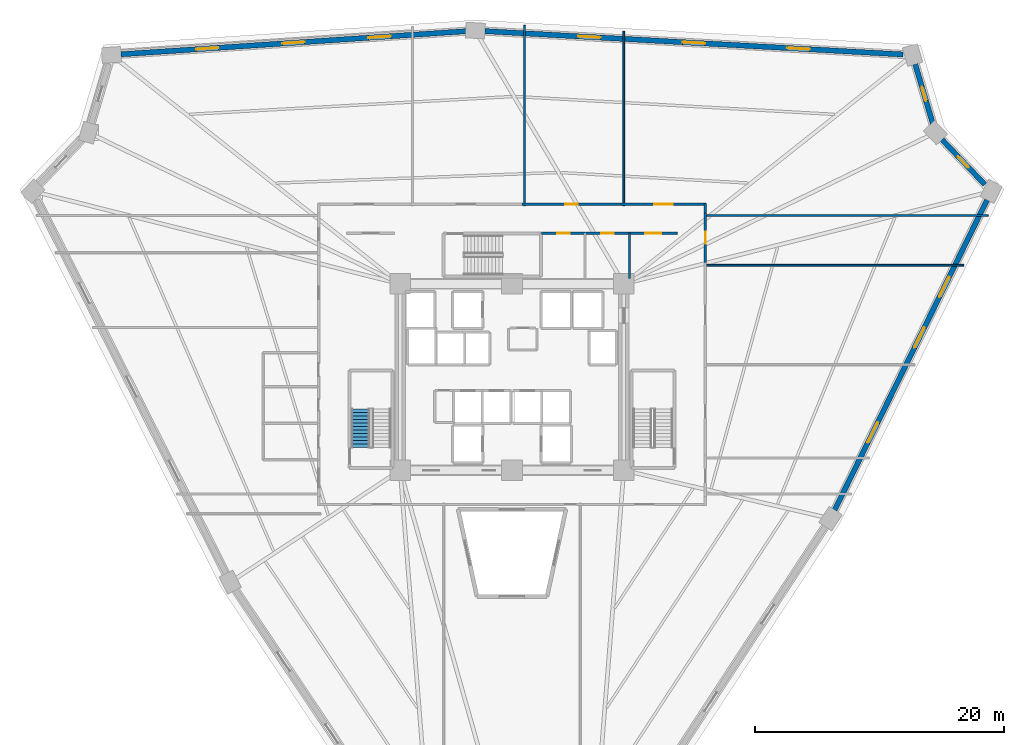
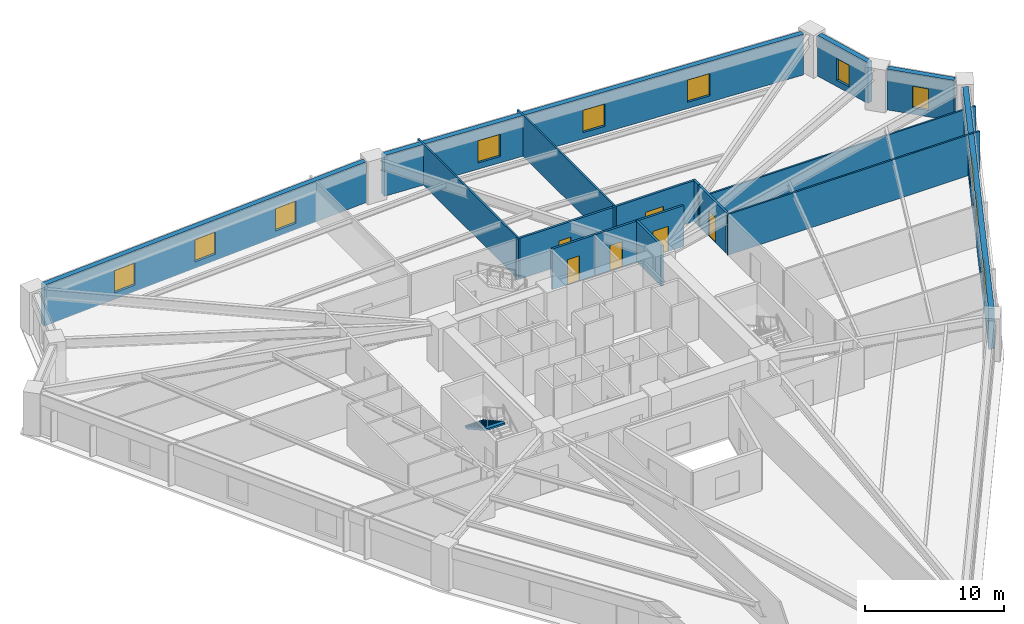
# One storey, part 7 of 11: 17 walls, 11 windows, 6 doors, 1 stair flight, 17 openings, 1 element without a shape of its own.
"""IFC4 building model written with IfcOpenShell, lengths in metres."""

from ifc_helpers import new_model, si_unit, direction, frame, frame_2d, origin, place, context, subcontext, project, spatial, polyline, rectangle, outline, extrude, source, transform, mapped, material, layer, layer_set, type_object, element, fill, aggregate, save


model = new_model("IFC4")

# Units and contexts
model_context = context("Model", 3, precision=1e-05, world=origin(), true_north=direction((0.0, 1.0)))
body_context = subcontext(model_context, "Body", "Model", "MODEL_VIEW")
ifc_project = project(units=[si_unit("LENGTHUNIT", "METRE"), si_unit("AREAUNIT", "SQUARE_METRE"), si_unit("VOLUMEUNIT", "CUBIC_METRE"), si_unit("PLANEANGLEUNIT", "RADIAN"), si_unit("MASSUNIT", "GRAM", prefix="KILO")], contexts=[model_context])

# Site, building, storey
site_placement = place(None, origin())
site = spatial("IfcSite", under=ifc_project, at=site_placement, CompositionType="ELEMENT")
building_placement = place(site_placement, origin())
building = spatial("IfcBuilding", under=site, at=building_placement, Name="Liaohun Quay Tower", CompositionType="ELEMENT")
storey_placement = place(building_placement, frame((0.0, 0.0, 51.75)))
storey = spatial("IfcBuildingStorey", under=building, at=storey_placement, Name="L13", CompositionType="ELEMENT", Elevation=51.75)

# Wall, openings, windows
ifc_material_1 = material(Name="Precast concrete C50 insulated sandwich", Category="concrete")
ifc_layer_1 = layer(ifc_material_1, 0.419921875, Name="Precast concrete C50 insulated sandwich", Category="concrete")
ifc_layer_set_1 = layer_set([ifc_layer_1], Name="Precast concrete C50 insulated sandwich")
wall_type_1 = type_object("IfcWallType", Name="WAL-EXT-Z12", PredefinedType="SOLIDWALL", material=ifc_layer_set_1)
wall_1_placement = place(storey_placement, frame((85.967041015625, 43.301025390625, 0.0), z_axis=(0.0, 0.0, 1.0), x_axis=(0.441079786623, 0.897467894597, 0.0)))
wall_1 = element("IfcWall", 1, at=wall_1_placement, inside=storey, type_object=wall_type_1, Name="L13 Brutalist Precast Pier Wall 03", PredefinedType="SOLIDWALL", context=body_context, shape_type="SweptSolid", body=[
    extrude(rectangle(XDim=27.813720703125, YDim=0.419921875, at=frame_2d((13.90673828125, 0.0))), origin(), (0.0, 0.0, 1.0), 3.570068359375),
])
shared_shape_1 = source(origin(), body_context, "Body", "SweptSolid", [
    extrude(rectangle(XDim=1.800048828125, YDim=1.949951171875, at=frame_2d((0.89990234375, 0.97509765625))), frame((0.0, 0.219970703125, 0.0), z_axis=(0.0, -1.0, 0.0), x_axis=(1.0, 0.0, 0.0)), (0.0, 0.0, 1.0), 0.43994140625),
])
opening_1_placement = place(wall_1_placement, frame((6.052978515625, 0.0, 0.550048828125)))
opening_1 = element("IfcOpeningElement", 2, at=opening_1_placement, cuts=wall_1, Name="Opening W01", PredefinedType="OPENING", context=body_context, shape_type="MappedRepresentation", body=[
    mapped(shared_shape_1, transform((0.0, 0.0, 0.0), x_axis=(1.0, 0.0, 0.0), y_axis=(0.0, 1.0, 0.0), z_axis=(0.0, 0.0, 1.0), scale=1.0)),
])
opening_2_placement = place(wall_1_placement, frame((14.556884765625, 0.0, 0.550048828125)))
opening_2 = element("IfcOpeningElement", 3, at=opening_2_placement, cuts=wall_1, Name="Opening W01", PredefinedType="OPENING", context=body_context, shape_type="MappedRepresentation", body=[
    mapped(shared_shape_1, transform((0.0, 0.0, 0.0), x_axis=(1.0, 0.0, 0.0), y_axis=(0.0, 1.0, 0.0), z_axis=(0.0, 0.0, 1.0), scale=1.0)),
])
opening_3_placement = place(wall_1_placement, frame((19.110107421875, 0.0, 0.550048828125)))
opening_3 = element("IfcOpeningElement", 4, at=opening_3_placement, cuts=wall_1, Name="Opening W01", PredefinedType="OPENING", context=body_context, shape_type="MappedRepresentation", body=[
    mapped(shared_shape_1, transform((0.0, 0.0, 0.0), x_axis=(1.0, 0.0, 0.0), y_axis=(0.0, 1.0, 0.0), z_axis=(0.0, 0.0, 1.0), scale=1.0)),
])
ifc_material_2 = material(Name="Triple Low-E argon glazing in thermally broken aluminium", Category="aluminium")
window_type_1 = type_object("IfcWindowType", Name="WIN-PUN-Z1", PartitioningType="DOUBLE_PANEL_VERTICAL", PredefinedType="WINDOW", material=ifc_material_2)
shared_shape_2 = source(origin(), body_context, "Body", "SweptSolid", [
    extrude(rectangle(XDim=1.800048828125, YDim=1.949951171875, at=frame_2d((0.89990234375, 0.97509765625))), frame((0.0, 0.030029296875, 0.0), z_axis=(0.0, -1.0, 0.0), x_axis=(1.0, 0.0, 0.0)), (0.0, 0.0, 1.0), 0.06005859375),
])
window_1_placement = place(opening_1_placement, origin())
window_1 = element("IfcWindow", 5, at=window_1_placement, inside=storey, type_object=window_type_1, Name="L13 Recessed Cold-Climate Punched Window 03-1", OverallHeight=1.949951171875, OverallWidth=1.800048828125, PartitioningType="DOUBLE_PANEL_VERTICAL", PredefinedType="WINDOW", context=body_context, shape_type="MappedRepresentation", body=[
    mapped(shared_shape_2, transform((0.0, 0.0, 0.0), x_axis=(1.0, 0.0, 0.0), y_axis=(0.0, 1.0, 0.0), z_axis=(0.0, 0.0, 1.0), scale=1.0)),
])
fill(opening_1, window_1)
window_2_placement = place(opening_2_placement, origin())
window_2 = element("IfcWindow", 6, at=window_2_placement, inside=storey, type_object=window_type_1, Name="L13 Recessed Cold-Climate Punched Window 03-2", OverallHeight=1.949951171875, OverallWidth=1.800048828125, PartitioningType="DOUBLE_PANEL_VERTICAL", PredefinedType="WINDOW", context=body_context, shape_type="MappedRepresentation", body=[
    mapped(shared_shape_2, transform((0.0, 0.0, 0.0), x_axis=(1.0, 0.0, 0.0), y_axis=(0.0, 1.0, 0.0), z_axis=(0.0, 0.0, 1.0), scale=1.0)),
])
fill(opening_2, window_2)
window_3_placement = place(opening_3_placement, origin())
window_3 = element("IfcWindow", 7, at=window_3_placement, inside=storey, type_object=window_type_1, Name="L13 Recessed Cold-Climate Punched Window 03-3", OverallHeight=1.949951171875, OverallWidth=1.800048828125, PartitioningType="DOUBLE_PANEL_VERTICAL", PredefinedType="WINDOW", context=body_context, shape_type="MappedRepresentation", body=[
    mapped(shared_shape_2, transform((0.0, 0.0, 0.0), x_axis=(1.0, 0.0, 0.0), y_axis=(0.0, 1.0, 0.0), z_axis=(0.0, 0.0, 1.0), scale=1.0)),
])
fill(opening_3, window_3)

# Wall, opening, window
wall_2_placement = place(storey_placement, frame((98.044921875, 69.50390625, 0.0), z_axis=(0.0, 0.0, 1.0), x_axis=(-0.689330241698, 0.724447249895, 0.0)))
wall_2 = element("IfcWall", 8, at=wall_2_placement, inside=storey, type_object=wall_type_1, Name="L13 Brutalist Precast Pier Wall 04", PredefinedType="SOLIDWALL", context=body_context, shape_type="SweptSolid", body=[
    extrude(rectangle(XDim=4.99169921875, YDim=0.419921875, at=frame_2d((2.495849609375, 0.0))), origin(), (0.0, 0.0, 1.0), 3.570068359375),
])
shared_shape_3 = source(origin(), body_context, "Body", "SweptSolid", [
    extrude(rectangle(XDim=1.199951171875, YDim=1.89990234375, at=frame_2d((0.60009765625, 0.949951171875))), frame((0.0, 0.219970703125, 0.0), z_axis=(0.0, -1.0, 0.0), x_axis=(1.0, 0.0, 0.0)), (0.0, 0.0, 1.0), 0.43994140625),
])
opening_4_placement = place(wall_2_placement, frame((1.89599609375, 0.0, 0.550048828125)))
opening_4 = element("IfcOpeningElement", 9, at=opening_4_placement, cuts=wall_2, Name="Opening W05", PredefinedType="OPENING", context=body_context, shape_type="MappedRepresentation", body=[
    mapped(shared_shape_3, transform((0.0, 0.0, 0.0), x_axis=(1.0, 0.0, 0.0), y_axis=(0.0, 1.0, 0.0), z_axis=(0.0, 0.0, 1.0), scale=1.0)),
])
ifc_material_3 = material(Name="Triple Low-E corner notch glazing", Category="glass")
window_type_2 = type_object("IfcWindowType", Name="WIN-NOTCH", PartitioningType="SINGLE_PANEL", PredefinedType="WINDOW", material=ifc_material_3)
shared_shape_4 = source(origin(), body_context, "Body", "SweptSolid", [
    extrude(rectangle(XDim=1.199951171875, YDim=1.89990234375, at=frame_2d((0.60009765625, 0.949951171875))), frame((0.0, 0.030029296875, 0.0), z_axis=(0.0, -1.0, 0.0), x_axis=(1.0, 0.0, 0.0)), (0.0, 0.0, 1.0), 0.06005859375),
])
window_4_placement = place(opening_4_placement, origin())
window_4 = element("IfcWindow", 10, at=window_4_placement, inside=storey, type_object=window_type_2, Name="L13 Corner Notch Window W05-04", OverallHeight=1.89990234375, OverallWidth=1.199951171875, PartitioningType="SINGLE_PANEL", PredefinedType="WINDOW", context=body_context, shape_type="MappedRepresentation", body=[
    mapped(shared_shape_4, transform((0.0, 0.0, 0.0), x_axis=(1.0, 0.0, 0.0), y_axis=(0.0, 1.0, 0.0), z_axis=(0.0, 0.0, 1.0), scale=1.0)),
])
fill(opening_4, window_4)

wall_3_placement = place(storey_placement, frame((93.861083984375, 74.407958984375, 0.0), z_axis=(0.0, 0.0, 1.0), x_axis=(-0.282900765271, 0.959149183917, 0.0)))
wall_3 = element("IfcWall", 11, at=wall_3_placement, inside=storey, type_object=wall_type_1, Name="L13 Brutalist Precast Pier Wall 05", PredefinedType="SOLIDWALL", context=body_context, shape_type="SweptSolid", body=[
    extrude(rectangle(XDim=4.984619140625, YDim=0.419921875, at=frame_2d((2.4921875, 0.0))), origin(), (0.0, 0.0, 1.0), 3.570068359375),
])
opening_5_placement = place(wall_3_placement, frame((1.89208984375, 0.0, 0.550048828125)))
opening_5 = element("IfcOpeningElement", 12, at=opening_5_placement, cuts=wall_3, Name="Opening W05", PredefinedType="OPENING", context=body_context, shape_type="MappedRepresentation", body=[
    mapped(shared_shape_3, transform((0.0, 0.0, 0.0), x_axis=(1.0, 0.0, 0.0), y_axis=(0.0, 1.0, 0.0), z_axis=(0.0, 0.0, 1.0), scale=1.0)),
])
window_5_placement = place(opening_5_placement, origin())
window_5 = element("IfcWindow", 13, at=window_5_placement, inside=storey, type_object=window_type_2, Name="L13 Corner Notch Window W05-05", OverallHeight=1.89990234375, OverallWidth=1.199951171875, PartitioningType="SINGLE_PANEL", PredefinedType="WINDOW", context=body_context, shape_type="MappedRepresentation", body=[
    mapped(shared_shape_4, transform((0.0, 0.0, 0.0), x_axis=(1.0, 0.0, 0.0), y_axis=(0.0, 1.0, 0.0), z_axis=(0.0, 0.0, 1.0), scale=1.0)),
])
fill(opening_5, window_5)

# Wall, openings, windows
wall_4_placement = place(storey_placement, frame((91.470947265625, 79.966064453125, 0.0), z_axis=(0.0, 0.0, 1.0), x_axis=(-0.998444156387, 0.055760797854, 0.0)))
wall_4 = element("IfcWall", 14, at=wall_4_placement, inside=storey, type_object=wall_type_1, Name="L13 Brutalist Precast Pier Wall 06", PredefinedType="SOLIDWALL", context=body_context, shape_type="SweptSolid", body=[
    extrude(rectangle(XDim=33.71337890625, YDim=0.419921875, at=frame_2d((16.856689453125, 0.0))), origin(), (0.0, 0.0, 1.0), 3.570068359375),
])
opening_6_placement = place(wall_4_placement, frame((7.528076171875, 0.0, 0.550048828125)))
opening_6 = element("IfcOpeningElement", 15, at=opening_6_placement, cuts=wall_4, Name="Opening W01", PredefinedType="OPENING", context=body_context, shape_type="MappedRepresentation", body=[
    mapped(shared_shape_1, transform((0.0, 0.0, 0.0), x_axis=(1.0, 0.0, 0.0), y_axis=(0.0, 1.0, 0.0), z_axis=(0.0, 0.0, 1.0), scale=1.0)),
])
opening_7_placement = place(wall_4_placement, frame((15.95703125, 0.0, 0.550048828125)))
opening_7 = element("IfcOpeningElement", 16, at=opening_7_placement, cuts=wall_4, Name="Opening W01", PredefinedType="OPENING", context=body_context, shape_type="MappedRepresentation", body=[
    mapped(shared_shape_1, transform((0.0, 0.0, 0.0), x_axis=(1.0, 0.0, 0.0), y_axis=(0.0, 1.0, 0.0), z_axis=(0.0, 0.0, 1.0), scale=1.0)),
])
opening_8_placement = place(wall_4_placement, frame((24.385009765625, 0.0, 0.550048828125)))
opening_8 = element("IfcOpeningElement", 17, at=opening_8_placement, cuts=wall_4, Name="Opening W01", PredefinedType="OPENING", context=body_context, shape_type="MappedRepresentation", body=[
    mapped(shared_shape_1, transform((0.0, 0.0, 0.0), x_axis=(1.0, 0.0, 0.0), y_axis=(0.0, 1.0, 0.0), z_axis=(0.0, 0.0, 1.0), scale=1.0)),
])
window_6_placement = place(opening_6_placement, origin())
window_6 = element("IfcWindow", 18, at=window_6_placement, inside=storey, type_object=window_type_1, Name="L13 Recessed Cold-Climate Punched Window 06-1", OverallHeight=1.949951171875, OverallWidth=1.800048828125, PartitioningType="DOUBLE_PANEL_VERTICAL", PredefinedType="WINDOW", context=body_context, shape_type="MappedRepresentation", body=[
    mapped(shared_shape_2, transform((0.0, 0.0, 0.0), x_axis=(1.0, 0.0, 0.0), y_axis=(0.0, 1.0, 0.0), z_axis=(0.0, 0.0, 1.0), scale=1.0)),
])
fill(opening_6, window_6)
window_7_placement = place(opening_7_placement, origin())
window_7 = element("IfcWindow", 19, at=window_7_placement, inside=storey, type_object=window_type_1, Name="L13 Recessed Cold-Climate Punched Window 06-2", OverallHeight=1.949951171875, OverallWidth=1.800048828125, PartitioningType="DOUBLE_PANEL_VERTICAL", PredefinedType="WINDOW", context=body_context, shape_type="MappedRepresentation", body=[
    mapped(shared_shape_2, transform((0.0, 0.0, 0.0), x_axis=(1.0, 0.0, 0.0), y_axis=(0.0, 1.0, 0.0), z_axis=(0.0, 0.0, 1.0), scale=1.0)),
])
fill(opening_7, window_7)
window_8_placement = place(opening_8_placement, origin())
window_8 = element("IfcWindow", 20, at=window_8_placement, inside=storey, type_object=window_type_1, Name="L13 Recessed Cold-Climate Punched Window 06-3", OverallHeight=1.949951171875, OverallWidth=1.800048828125, PartitioningType="DOUBLE_PANEL_VERTICAL", PredefinedType="WINDOW", context=body_context, shape_type="MappedRepresentation", body=[
    mapped(shared_shape_2, transform((0.0, 0.0, 0.0), x_axis=(1.0, 0.0, 0.0), y_axis=(0.0, 1.0, 0.0), z_axis=(0.0, 0.0, 1.0), scale=1.0)),
])
fill(opening_8, window_8)

wall_5_placement = place(storey_placement, frame((56.282958984375, 81.837890625, 0.0), z_axis=(0.0, 0.0, 1.0), x_axis=(-0.99776671065, -0.066795142933, 0.0)))
wall_5 = element("IfcWall", 21, at=wall_5_placement, inside=storey, type_object=wall_type_1, Name="L13 Brutalist Precast Pier Wall 07", PredefinedType="SOLIDWALL", context=body_context, shape_type="SweptSolid", body=[
    extrude(rectangle(XDim=27.81494140625, YDim=0.419921875, at=frame_2d((13.907470703125, 0.0))), origin(), (0.0, 0.0, 1.0), 3.570068359375),
])
opening_9_placement = place(wall_5_placement, frame((6.053955078125, 0.0, 0.550048828125)))
opening_9 = element("IfcOpeningElement", 22, at=opening_9_placement, cuts=wall_5, Name="Opening W01", PredefinedType="OPENING", context=body_context, shape_type="MappedRepresentation", body=[
    mapped(shared_shape_1, transform((0.0, 0.0, 0.0), x_axis=(1.0, 0.0, 0.0), y_axis=(0.0, 1.0, 0.0), z_axis=(0.0, 0.0, 1.0), scale=1.0)),
])
opening_10_placement = place(wall_5_placement, frame((13.008056640625, 0.0, 0.550048828125)))
opening_10 = element("IfcOpeningElement", 23, at=opening_10_placement, cuts=wall_5, Name="Opening W01", PredefinedType="OPENING", context=body_context, shape_type="MappedRepresentation", body=[
    mapped(shared_shape_1, transform((0.0, 0.0, 0.0), x_axis=(1.0, 0.0, 0.0), y_axis=(0.0, 1.0, 0.0), z_axis=(0.0, 0.0, 1.0), scale=1.0)),
])
opening_11_placement = place(wall_5_placement, frame((19.9609375, 0.0, 0.550048828125)))
opening_11 = element("IfcOpeningElement", 24, at=opening_11_placement, cuts=wall_5, Name="Opening W01", PredefinedType="OPENING", context=body_context, shape_type="MappedRepresentation", body=[
    mapped(shared_shape_1, transform((0.0, 0.0, 0.0), x_axis=(1.0, 0.0, 0.0), y_axis=(0.0, 1.0, 0.0), z_axis=(0.0, 0.0, 1.0), scale=1.0)),
])
window_9_placement = place(opening_9_placement, origin())
window_9 = element("IfcWindow", 25, at=window_9_placement, inside=storey, type_object=window_type_1, Name="L13 Recessed Cold-Climate Punched Window 07-1", OverallHeight=1.949951171875, OverallWidth=1.800048828125, PartitioningType="DOUBLE_PANEL_VERTICAL", PredefinedType="WINDOW", context=body_context, shape_type="MappedRepresentation", body=[
    mapped(shared_shape_2, transform((0.0, 0.0, 0.0), x_axis=(1.0, 0.0, 0.0), y_axis=(0.0, 1.0, 0.0), z_axis=(0.0, 0.0, 1.0), scale=1.0)),
])
fill(opening_9, window_9)
window_10_placement = place(opening_10_placement, origin())
window_10 = element("IfcWindow", 26, at=window_10_placement, inside=storey, type_object=window_type_1, Name="L13 Recessed Cold-Climate Punched Window 07-2", OverallHeight=1.949951171875, OverallWidth=1.800048828125, PartitioningType="DOUBLE_PANEL_VERTICAL", PredefinedType="WINDOW", context=body_context, shape_type="MappedRepresentation", body=[
    mapped(shared_shape_2, transform((0.0, 0.0, 0.0), x_axis=(1.0, 0.0, 0.0), y_axis=(0.0, 1.0, 0.0), z_axis=(0.0, 0.0, 1.0), scale=1.0)),
])
fill(opening_10, window_10)
window_11_placement = place(opening_11_placement, origin())
window_11 = element("IfcWindow", 27, at=window_11_placement, inside=storey, type_object=window_type_1, Name="L13 Recessed Cold-Climate Punched Window 07-3", OverallHeight=1.949951171875, OverallWidth=1.800048828125, PartitioningType="DOUBLE_PANEL_VERTICAL", PredefinedType="WINDOW", context=body_context, shape_type="MappedRepresentation", body=[
    mapped(shared_shape_2, transform((0.0, 0.0, 0.0), x_axis=(1.0, 0.0, 0.0), y_axis=(0.0, 1.0, 0.0), z_axis=(0.0, 0.0, 1.0), scale=1.0)),
])
fill(opening_11, window_11)

# Wall, opening, door
ifc_material_4 = material(Name="Autoclaved aerated concrete blockwork", Category="masonry")
ifc_layer_2 = layer(ifc_material_4, 0.179931640625, Name="Autoclaved aerated concrete blockwork", Category="masonry")
ifc_layer_set_2 = layer_set([ifc_layer_2], Name="Autoclaved aerated concrete blockwork")
wall_type_2 = type_object("IfcWallType", Name="WAL-PRT-COR", PredefinedType="PARTITIONING", material=ifc_layer_set_2)
wall_6_placement = place(storey_placement, frame((62.389892578125, 65.580078125, 0.0), z_axis=(0.0, 0.0, 1.0), x_axis=(1.0, 0.0, 0.0)))
wall_6 = element("IfcWall", 28, at=wall_6_placement, inside=storey, type_object=wall_type_2, Name="L13 Interior Partition Wall 006", PredefinedType="PARTITIONING", context=body_context, shape_type="SweptSolid", body=[
    extrude(rectangle(XDim=3.489990234375, YDim=0.179931640625, at=frame_2d((1.7451171875, 0.0))), origin(), (0.0, 0.0, 1.0), 3.570068359375),
])
shared_shape_5 = source(origin(), body_context, "Body", "SweptSolid", [
    extrude(rectangle(XDim=1.0, YDim=2.199951171875, at=frame_2d((0.5, 1.10009765625))), frame((0.0, 0.099853515625, 0.0), z_axis=(0.0, -1.0, 0.0), x_axis=(1.0, 0.0, 0.0)), (0.0, 0.0, 1.0), 0.199951171875),
])
opening_12_placement = place(wall_6_placement, frame((1.2451171875, 0.0, 0.0)))
opening_12 = element("IfcOpeningElement", 29, at=opening_12_placement, cuts=wall_6, Name="Opening OD1", PredefinedType="OPENING", context=body_context, shape_type="MappedRepresentation", body=[
    mapped(shared_shape_5, transform((0.0, 0.0, 0.0), x_axis=(1.0, 0.0, 0.0), y_axis=(0.0, 1.0, 0.0), z_axis=(0.0, 0.0, 1.0), scale=1.0)),
])
ifc_material_5 = material(Name="Solid-core oak veneer timber leaf in steel frame", Category="steel")
door_type_1 = type_object("IfcDoorType", Name="DOR-OFF-1000", OperationType="NOTDEFINED", PredefinedType="DOOR", material=ifc_material_5)
shared_shape_6 = source(origin(), body_context, "Body", "SweptSolid", [
    extrude(rectangle(XDim=1.0, YDim=2.199951171875, at=frame_2d((0.5, 1.10009765625))), frame((0.0, 0.02490234375, 0.0), z_axis=(0.0, -1.0, 0.0), x_axis=(1.0, 0.0, 0.0)), (0.0, 0.0, 1.0), 0.050048828125),
])
door_1_placement = place(opening_12_placement, origin())
door_1 = element("IfcDoor", 30, at=door_1_placement, inside=storey, type_object=door_type_1, Name="L13 North-East Archive Store Door", OperationType="SINGLE_SWING_LEFT", OverallHeight=2.199951171875, OverallWidth=1.0, PredefinedType="DOOR", context=body_context, shape_type="MappedRepresentation", body=[
    mapped(shared_shape_6, transform((0.0, 0.0, 0.0), x_axis=(1.0, 0.0, 0.0), y_axis=(0.0, 1.0, 0.0), z_axis=(0.0, 0.0, 1.0), scale=1.0)),
])
fill(opening_12, door_1)

wall_7_placement = place(storey_placement, frame((65.919921875, 65.580078125, 0.0), z_axis=(0.0, 0.0, 1.0), x_axis=(1.0, 0.0, 0.0)))
wall_7 = element("IfcWall", 31, at=wall_7_placement, inside=storey, type_object=wall_type_2, Name="L13 Interior Partition Wall 007", PredefinedType="PARTITIONING", context=body_context, shape_type="SweptSolid", body=[
    extrude(rectangle(XDim=3.5400390625, YDim=0.179931640625, at=frame_2d((1.77001953125, 0.0))), origin(), (0.0, 0.0, 1.0), 3.570068359375),
])
opening_13_placement = place(wall_7_placement, frame((1.27001953125, 0.0, 0.0)))
opening_13 = element("IfcOpeningElement", 32, at=opening_13_placement, cuts=wall_7, Name="Opening OD1", PredefinedType="OPENING", context=body_context, shape_type="MappedRepresentation", body=[
    mapped(shared_shape_5, transform((0.0, 0.0, 0.0), x_axis=(1.0, 0.0, 0.0), y_axis=(0.0, 1.0, 0.0), z_axis=(0.0, 0.0, 1.0), scale=1.0)),
])
door_2_placement = place(opening_13_placement, origin())
door_2 = element("IfcDoor", 33, at=door_2_placement, inside=storey, type_object=door_type_1, Name="L13 North-East Pantry Room Door", OperationType="SINGLE_SWING_RIGHT", OverallHeight=2.199951171875, OverallWidth=1.0, PredefinedType="DOOR", context=body_context, shape_type="MappedRepresentation", body=[
    mapped(shared_shape_6, transform((0.0, 0.0, 0.0), x_axis=(1.0, 0.0, 0.0), y_axis=(0.0, 1.0, 0.0), z_axis=(0.0, 0.0, 1.0), scale=1.0)),
])
fill(opening_13, door_2)

wall_8_placement = place(storey_placement, frame((69.4599609375, 65.580078125, 0.0), z_axis=(0.0, 0.0, 1.0), x_axis=(1.0, 0.0, 0.0)))
wall_8 = element("IfcWall", 34, at=wall_8_placement, inside=storey, type_object=wall_type_2, Name="L13 Interior Partition Wall 009", PredefinedType="PARTITIONING", context=body_context, shape_type="SweptSolid", body=[
    extrude(rectangle(XDim=3.840087890625, YDim=0.179931640625, at=frame_2d((1.919921875, 0.0))), origin(), (0.0, 0.0, 1.0), 3.570068359375),
])
shared_shape_7 = source(origin(), body_context, "Body", "SweptSolid", [
    extrude(rectangle(XDim=1.300048828125, YDim=2.199951171875, at=frame_2d((0.64990234375, 1.10009765625))), frame((0.0, 0.099853515625, 0.0), z_axis=(0.0, -1.0, 0.0), x_axis=(1.0, 0.0, 0.0)), (0.0, 0.0, 1.0), 0.199951171875),
])
opening_14_placement = place(wall_8_placement, frame((1.27001953125, 0.0, 0.0)))
opening_14 = element("IfcOpeningElement", 35, at=opening_14_placement, cuts=wall_8, Name="Opening FD1", PredefinedType="OPENING", context=body_context, shape_type="MappedRepresentation", body=[
    mapped(shared_shape_7, transform((0.0, 0.0, 0.0), x_axis=(1.0, 0.0, 0.0), y_axis=(0.0, 1.0, 0.0), z_axis=(0.0, 0.0, 1.0), scale=1.0)),
])
ifc_material_6 = material(Name="Galvanised steel smokeproof fire door", Category="steel")
door_type_2 = type_object("IfcDoorType", Name="DOR-FFL-1300", OperationType="NOTDEFINED", PredefinedType="DOOR", material=ifc_material_6)
shared_shape_8 = source(origin(), body_context, "Body", "SweptSolid", [
    extrude(rectangle(XDim=1.300048828125, YDim=2.199951171875, at=frame_2d((0.64990234375, 1.10009765625))), frame((0.0, 0.02490234375, 0.0), z_axis=(0.0, -1.0, 0.0), x_axis=(1.0, 0.0, 0.0)), (0.0, 0.0, 1.0), 0.050048828125),
])
door_3_placement = place(opening_14_placement, origin())
door_3 = element("IfcDoor", 36, at=door_3_placement, inside=storey, type_object=door_type_2, Name="L13 East Core Vestibule Door", OperationType="SINGLE_SWING_RIGHT", OverallHeight=2.199951171875, OverallWidth=1.300048828125, PredefinedType="DOOR", context=body_context, shape_type="MappedRepresentation", body=[
    mapped(shared_shape_8, transform((0.0, 0.0, 0.0), x_axis=(1.0, 0.0, 0.0), y_axis=(0.0, 1.0, 0.0), z_axis=(0.0, 0.0, 1.0), scale=1.0)),
])
fill(opening_14, door_3)

wall_9_placement = place(storey_placement, frame((75.56005859375, 67.215087890625, 0.0), z_axis=(0.0, 0.0, 1.0), x_axis=(0.0, -1.0, 0.0)))
wall_9 = element("IfcWall", 37, at=wall_9_placement, inside=storey, type_object=wall_type_2, Name="L13 Interior Partition Wall 011", PredefinedType="PARTITIONING", context=body_context, shape_type="SweptSolid", body=[
    extrude(rectangle(XDim=4.0, YDim=0.179931640625, at=frame_2d((2.0, 0.0))), origin(), (0.0, 0.0, 1.0), 3.570068359375),
])
opening_15_placement = place(wall_9_placement, frame((1.5, 0.0, 0.0)))
opening_15 = element("IfcOpeningElement", 38, at=opening_15_placement, cuts=wall_9, Name="Opening OD1", PredefinedType="OPENING", context=body_context, shape_type="MappedRepresentation", body=[
    mapped(shared_shape_5, transform((0.0, 0.0, 0.0), x_axis=(1.0, 0.0, 0.0), y_axis=(0.0, 1.0, 0.0), z_axis=(0.0, 0.0, 1.0), scale=1.0)),
])
door_4_placement = place(opening_15_placement, origin())
door_4 = element("IfcDoor", 39, at=door_4_placement, inside=storey, type_object=door_type_1, Name="L13 Digital Prototyping Laboratory 02 Door", OperationType="SINGLE_SWING_RIGHT", OverallHeight=2.199951171875, OverallWidth=1.0, PredefinedType="DOOR", context=body_context, shape_type="MappedRepresentation", body=[
    mapped(shared_shape_6, transform((0.0, 0.0, 0.0), x_axis=(1.0, 0.0, 0.0), y_axis=(0.0, 1.0, 0.0), z_axis=(0.0, 0.0, 1.0), scale=1.0)),
])
fill(opening_15, door_4)

wall_10_placement = place(storey_placement, frame((68.784912109375, 67.909912109375, 0.0), z_axis=(0.0, 0.0, 1.0), x_axis=(1.0, 0.0, 0.0)))
wall_10 = element("IfcWall", 40, at=wall_10_placement, inside=storey, type_object=wall_type_2, Name="L13 Interior Partition Wall 012", PredefinedType="PARTITIONING", context=body_context, shape_type="SweptSolid", body=[
    extrude(rectangle(XDim=6.844970703125, YDim=0.179931640625, at=frame_2d((3.42236328125, 0.0))), origin(), (0.0, 0.0, 1.0), 3.570068359375),
])
shared_shape_9 = source(origin(), body_context, "Body", "SweptSolid", [
    extrude(rectangle(XDim=1.5, YDim=2.199951171875, at=frame_2d((0.75, 1.10009765625))), frame((0.0, 0.099853515625, 0.0), z_axis=(0.0, -1.0, 0.0), x_axis=(1.0, 0.0, 0.0)), (0.0, 0.0, 1.0), 0.199951171875),
])
opening_16_placement = place(wall_10_placement, frame((2.672119140625, 0.0, 0.0)))
opening_16 = element("IfcOpeningElement", 41, at=opening_16_placement, cuts=wall_10, Name="Opening OD2", PredefinedType="OPENING", context=body_context, shape_type="MappedRepresentation", body=[
    mapped(shared_shape_9, transform((0.0, 0.0, 0.0), x_axis=(1.0, 0.0, 0.0), y_axis=(0.0, 1.0, 0.0), z_axis=(0.0, 0.0, 1.0), scale=1.0)),
])
ifc_material_7 = material(Name="Acoustic oak veneer double door")
door_type_3 = type_object("IfcDoorType", Name="DOR-OFF-1500", OperationType="DOUBLE_DOOR_SINGLE_SWING", PredefinedType="DOOR", material=ifc_material_7)
shared_shape_10 = source(origin(), body_context, "Body", "SweptSolid", [
    extrude(rectangle(XDim=1.5, YDim=2.199951171875, at=frame_2d((0.75, 1.10009765625))), frame((0.0, 0.02490234375, 0.0), z_axis=(0.0, -1.0, 0.0), x_axis=(1.0, 0.0, 0.0)), (0.0, 0.0, 1.0), 0.050048828125),
])
door_5_placement = place(opening_16_placement, origin())
door_5 = element("IfcDoor", 42, at=door_5_placement, inside=storey, type_object=door_type_3, Name="L13 Architectural Design Studio 03 Door", OperationType="DOUBLE_DOOR_SINGLE_SWING", OverallHeight=2.199951171875, OverallWidth=1.5, PredefinedType="DOOR", context=body_context, shape_type="MappedRepresentation", body=[
    mapped(shared_shape_10, transform((0.0, 0.0, 0.0), x_axis=(1.0, 0.0, 0.0), y_axis=(0.0, 1.0, 0.0), z_axis=(0.0, 0.0, 1.0), scale=1.0)),
])
fill(opening_16, door_5)

wall_11_placement = place(storey_placement, frame((60.784912109375, 67.909912109375, 0.0), z_axis=(0.0, 0.0, 1.0), x_axis=(1.0, 0.0, 0.0)))
wall_11 = element("IfcWall", 43, at=wall_11_placement, inside=storey, type_object=wall_type_2, Name="L13 Interior Partition Wall 013", PredefinedType="PARTITIONING", context=body_context, shape_type="SweptSolid", body=[
    extrude(rectangle(XDim=8.0, YDim=0.179931640625, at=frame_2d((4.0, 0.0))), origin(), (0.0, 0.0, 1.0), 3.570068359375),
])
opening_17_placement = place(wall_11_placement, frame((3.5, 0.0, 0.0)))
opening_17 = element("IfcOpeningElement", 44, at=opening_17_placement, cuts=wall_11, Name="Opening OD1", PredefinedType="OPENING", context=body_context, shape_type="MappedRepresentation", body=[
    mapped(shared_shape_5, transform((0.0, 0.0, 0.0), x_axis=(1.0, 0.0, 0.0), y_axis=(0.0, 1.0, 0.0), z_axis=(0.0, 0.0, 1.0), scale=1.0)),
])
door_6_placement = place(opening_17_placement, origin())
door_6 = element("IfcDoor", 45, at=door_6_placement, inside=storey, type_object=door_type_1, Name="L13 Project Collaboration Studio 04 Door", OperationType="SINGLE_SWING_RIGHT", OverallHeight=2.199951171875, OverallWidth=1.0, PredefinedType="DOOR", context=body_context, shape_type="MappedRepresentation", body=[
    mapped(shared_shape_6, transform((0.0, 0.0, 0.0), x_axis=(1.0, 0.0, 0.0), y_axis=(0.0, 1.0, 0.0), z_axis=(0.0, 0.0, 1.0), scale=1.0)),
])
fill(opening_17, door_6)

# Walls
wall_12_placement = place(storey_placement, frame((69.4599609375, 61.949951171875, 0.0), z_axis=(0.0, 0.0, 1.0), x_axis=(0.0, 1.0, 0.0)))
element("IfcWall", 46, at=wall_12_placement, inside=storey, type_object=wall_type_2, Name="L13 Interior Partition Wall 035", PredefinedType="PARTITIONING", context=body_context, shape_type="SweptSolid", body=[
    extrude(rectangle(XDim=3.630126953125, YDim=0.179931640625, at=frame_2d((1.81494140625, 0.0))), origin(), (0.0, 0.0, 1.0), 3.570068359375),
])
wall_13_placement = place(storey_placement, frame((75.56005859375, 67.97998046875, 0.0), z_axis=(0.0, 0.0, 1.0), x_axis=(0.0, -1.0, 0.0)))
element("IfcWall", 47, at=wall_13_placement, inside=storey, type_object=wall_type_2, Name="L13 Interior Partition Wall 036", PredefinedType="PARTITIONING", context=body_context, shape_type="SweptSolid", body=[
    extrude(rectangle(XDim=0.764892578125, YDim=0.179931640625, at=frame_2d((0.38232421875, 0.0))), origin(), (0.0, 0.0, 1.0), 3.570068359375),
])
ifc_material_8 = material(Name="Gypsum board on twin steel studs", Category="steel")
ifc_layer_3 = layer(ifc_material_8, 0.139892578125, Name="Gypsum board on twin steel studs", Category="steel")
ifc_layer_set_3 = layer_set([ifc_layer_3], Name="Gypsum board on twin steel studs")
wall_type_3 = type_object("IfcWallType", Name="WAL-PRT-OFF", PredefinedType="PARTITIONING", material=ifc_layer_set_3)
wall_14_placement = place(storey_placement, frame((75.4599609375, 63.0, 0.0), z_axis=(0.0, 0.0, 1.0), x_axis=(1.0, 0.0, 0.0)))
element("IfcWall", 48, at=wall_14_placement, inside=storey, type_object=wall_type_3, Name="L13 Interior Partition Wall 049", PredefinedType="PARTITIONING", context=body_context, shape_type="SweptSolid", body=[
    extrude(rectangle(XDim=20.89013671875, YDim=0.139892578125, at=frame_2d((10.445068359375, 0.0))), origin(), (0.0, 0.0, 1.0), 3.570068359375),
])
wall_15_placement = place(storey_placement, frame((75.4599609375, 67.0, 0.0), z_axis=(0.0, 0.0, 1.0), x_axis=(1.0, 0.0, 0.0)))
element("IfcWall", 49, at=wall_15_placement, inside=storey, type_object=wall_type_3, Name="L13 Interior Partition Wall 050", PredefinedType="PARTITIONING", context=body_context, shape_type="SweptSolid", body=[
    extrude(rectangle(XDim=22.85498046875, YDim=0.139892578125, at=frame_2d((11.427490234375, 0.0))), origin(), (0.0, 0.0, 1.0), 2.655029296875),
])
wall_16_placement = place(storey_placement, frame((61.0, 67.81005859375, 0.0), z_axis=(0.0, 0.0, 1.0), x_axis=(0.0, 1.0, 0.0)))
element("IfcWall", 50, at=wall_16_placement, inside=storey, type_object=wall_type_3, Name="L13 Interior Partition Wall 052", PredefinedType="PARTITIONING", context=body_context, shape_type="SweptSolid", body=[
    extrude(rectangle(XDim=14.489013671875, YDim=0.139892578125, at=frame_2d((7.24462890625, 0.0))), origin(), (0.0, 0.0, 1.0), 3.570068359375),
])
wall_17_placement = place(storey_placement, frame((69.0, 67.81005859375, 0.0), z_axis=(0.0, 0.0, 1.0), x_axis=(0.0, 1.0, 0.0)))
element("IfcWall", 51, at=wall_17_placement, inside=storey, type_object=wall_type_3, Name="L13 Interior Partition Wall 053", PredefinedType="PARTITIONING", context=body_context, shape_type="SweptSolid", body=[
    extrude(rectangle(XDim=14.0419921875, YDim=0.139892578125, at=frame_2d((7.02099609375, 0.0))), origin(), (0.0, 0.0, 1.0), 3.570068359375),
])

# Stair, stair flight
ifc_material_9 = material(Name="Concrete C45", Category="concrete")
stair_type = type_object("IfcStairType", Name="STR-CORE-OFF", PredefinedType="HALF_TURN_STAIR", material=ifc_material_9)
stair_placement = place(storey_placement, origin())
stair = element("IfcStair", 52, at=stair_placement, inside=storey, type_object=stair_type, Name="L13 Smokeproof Core Exit Stair ST-1", PredefinedType="HALF_TURN_STAIR")
stair_flight_type = type_object("IfcStairFlightType", Name="FLT-CORE-155", PredefinedType="STRAIGHT", material=ifc_material_9)
stair_flight_placement = place(storey_placement, frame((47.81494140625, 51.429931640625, 1.875), z_axis=(0.0, 0.0, 1.0), x_axis=(0.0, -1.0, 0.0)))
stair_flight = element("IfcStairFlight", 53, at=stair_flight_placement, type_object=stair_flight_type, Name="ST-1 flight 2", NumberOfRisers=12, NumberOfTreads=11, PredefinedType="STRAIGHT", RiserHeight=0.15625, TreadLength=0.28, context=body_context, shape_type="SweptSolid", body=[
    extrude(outline(polyline([(0.0, 0.0), (0.0, 0.15625), (0.280029296875, 0.15625), (0.280029296875, 0.3125), (0.56005859375, 0.3125), (0.56005859375, 0.46875), (0.840087890625, 0.46875), (0.840087890625, 0.625), (1.1201171875, 0.625), (1.1201171875, 0.78125), (1.39990234375, 0.78125), (1.39990234375, 0.9375), (1.679931640625, 0.9375), (1.679931640625, 1.09375), (1.9599609375, 1.09375), (1.9599609375, 1.25), (2.239990234375, 1.25), (2.239990234375, 1.40625), (2.52001953125, 1.40625), (2.52001953125, 1.5625), (2.800048828125, 1.5625), (2.800048828125, 1.71875), (3.080078125, 1.71875), (3.080078125, 1.875), (3.080078125, 1.547119140625), (0.3076171875, 0.0), (0.0, 0.0)])), frame((0.0, 0.77490234375, 0.0), z_axis=(0.0, -1.0, 0.0), x_axis=(1.0, 0.0, 0.0)), (0.0, 0.0, 1.0), 1.550048828125),
])
aggregate(stair, [stair_flight])

save(model, "model.ifc")
